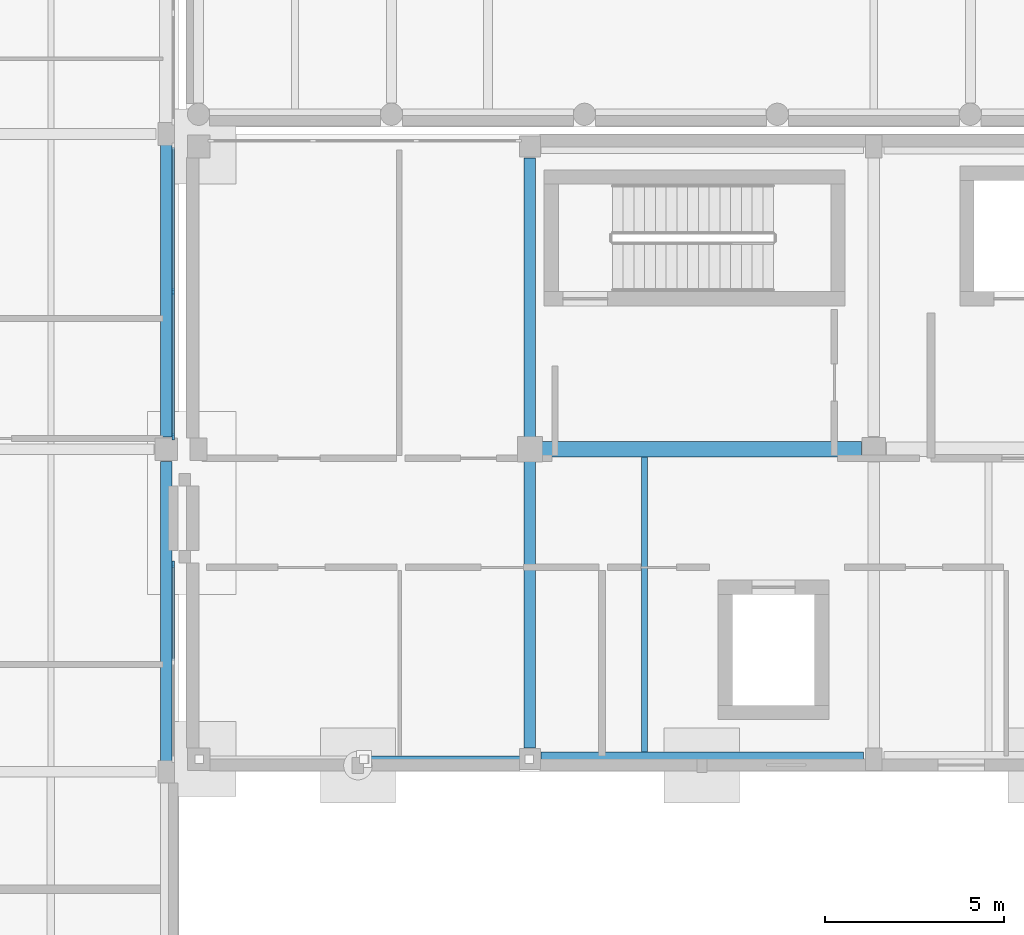
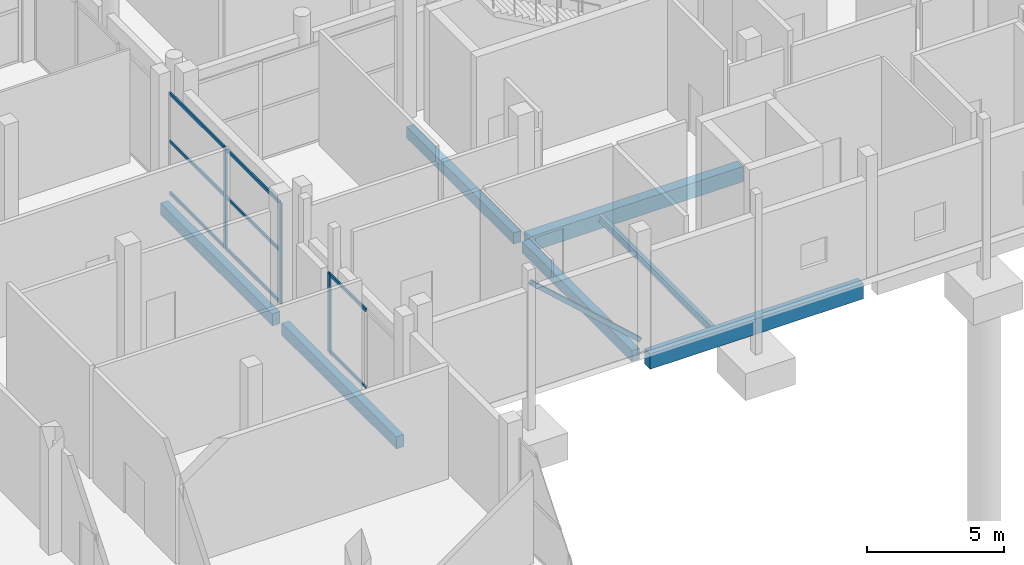
# One storey, part 20 of 88: 12 members, 7 beams, 2 elements without a shape of their own.
"""IFC4 building model written with IfcOpenShell, lengths in metres."""

from ifc_helpers import new_model, si_unit, direction, frame, origin, origin_2d, place, context, subcontext, project, spatial, rectangle, hollow_rectangle, i_section, extrude, material, layer, layer_set, material_profile, profile_set, type_object, element, aggregate, save


model = new_model("IFC4")

# Units and contexts
model_context = context("Model", 3, precision=1e-05, world=origin(), true_north=direction((0.0, 1.0)))
body_context = subcontext(model_context, "Body", "Model", "MODEL_VIEW")
ifc_project = project(units=[si_unit("LENGTHUNIT", "METRE"), si_unit("AREAUNIT", "SQUARE_METRE"), si_unit("VOLUMEUNIT", "CUBIC_METRE"), si_unit("PLANEANGLEUNIT", "RADIAN"), si_unit("MASSUNIT", "GRAM", prefix="KILO")], contexts=[model_context])

# Site, building, storey
site_placement = place(None, origin())
site = spatial("IfcSite", under=ifc_project, at=site_placement, CompositionType="ELEMENT")
building_placement = place(site_placement, origin())
building = spatial("IfcBuilding", under=site, at=building_placement, Name="Birchvale Park Specialist Clinic", CompositionType="ELEMENT")
storey_placement = place(building_placement, origin())
storey = spatial("IfcBuildingStorey", under=building, at=storey_placement, Name="L00", CompositionType="ELEMENT", Elevation=0.0)

# Beams
ifc_material_1 = material(Name="Concrete C40/50", Category="concrete")
ifc_material_profile_1 = material_profile(ifc_material_1, rectangle(XDim=0.39990234375, YDim=0.68994140625, at=origin_2d()), Name="RCB-400x690")
ifc_profile_set_1 = profile_set([ifc_material_profile_1], Name="Concrete C40/50")
beam_type_1 = type_object("IfcBeamType", Name="BM-EXT-BG4", PredefinedType="BEAM", material=ifc_profile_set_1)
beam_1_placement = place(storey_placement, frame((61.715087890625, 17.14990234375, -0.625), z_axis=(1.0, 0.0, 0.0), x_axis=(0.0, 1.0, 0.0)))
element("IfcBeam", 1, at=beam_1_placement, inside=storey, type_object=beam_type_1, Name="V4 L00 X girder 1", PredefinedType="BEAM", context=body_context, shape_type="SweptSolid", body=[
    extrude(rectangle(XDim=0.39990234375, YDim=0.68994140625, at=origin_2d()), origin(), (0.0, 0.0, 1.0), 8.994873046875),
])
ifc_material_profile_2 = material_profile(ifc_material_1, rectangle(XDim=0.320068359375, YDim=0.5400390625, at=origin_2d()), Name="RCB-320x540")
ifc_profile_set_2 = profile_set([ifc_material_profile_2], Name="Concrete C40/50")
beam_type_2 = type_object("IfcBeamType", Name="BM-EXT-BG7", PredefinedType="BEAM", material=ifc_profile_set_2)
beam_2_placement = place(storey_placement, frame((51.25, 17.090087890625, -0.6201171875), z_axis=(0.0, 1.0, 0.0), x_axis=(-1.0, 0.0, 0.0)))
element("IfcBeam", 2, at=beam_2_placement, inside=storey, type_object=beam_type_2, Name="V2 L00 Y girder 46", PredefinedType="BEAM", context=body_context, shape_type="SweptSolid", body=[
    extrude(rectangle(XDim=0.320068359375, YDim=0.5400390625, at=origin_2d()), origin(), (0.0, 0.0, 1.0), 8.369873046875),
])
beam_3_placement = place(storey_placement, frame((51.25, 26.139892578125, -0.6201171875), z_axis=(0.0, 1.0, 0.0), x_axis=(-1.0, 0.0, 0.0)))
element("IfcBeam", 3, at=beam_3_placement, inside=storey, type_object=beam_type_2, Name="V2 L00 Y girder 47", PredefinedType="BEAM", context=body_context, shape_type="SweptSolid", body=[
    extrude(rectangle(XDim=0.320068359375, YDim=0.5400390625, at=origin_2d()), origin(), (0.0, 0.0, 1.0), 8.170166015625),
])
ifc_material_profile_3 = material_profile(ifc_material_1, rectangle(XDim=0.419921875, YDim=0.679931640625, at=origin_2d()), Name="RCB-420x680")
ifc_profile_set_3 = profile_set([ifc_material_profile_3], Name="Concrete C40/50")
beam_type_3 = type_object("IfcBeamType", Name="BM-INT-BG3", PredefinedType="BEAM", material=ifc_profile_set_3)
beam_4_placement = place(storey_placement, frame((61.625, 25.800048828125, -0.6201171875), z_axis=(1.0, 0.0, 0.0), x_axis=(0.0, 1.0, 0.0)))
element("IfcBeam", 4, at=beam_4_placement, inside=storey, type_object=beam_type_3, Name="V4 L00 X girder 4", PredefinedType="BEAM", context=body_context, shape_type="SweptSolid", body=[
    extrude(rectangle(XDim=0.419921875, YDim=0.679931640625, at=origin_2d()), origin(), (0.0, 0.0, 1.0), 9.02490234375),
])
ifc_material_profile_4 = material_profile(ifc_material_1, rectangle(XDim=0.320068359375, YDim=0.5, at=origin_2d()), Name="RCB-320x500")
ifc_profile_set_4 = profile_set([ifc_material_profile_4], Name="Concrete C40/50")
beam_type_4 = type_object("IfcBeamType", Name="BM-INT-BG7", PredefinedType="BEAM", material=ifc_profile_set_4)
beam_5_placement = place(storey_placement, frame((61.39990234375, 17.465087890625, -0.530029296875), z_axis=(0.0, 1.0, 0.0), x_axis=(-1.0, 0.0, 0.0)))
element("IfcBeam", 5, at=beam_5_placement, inside=storey, type_object=beam_type_4, Name="V4 L00 Y girder 12", PredefinedType="BEAM", context=body_context, shape_type="SweptSolid", body=[
    extrude(rectangle(XDim=0.320068359375, YDim=0.5, at=origin_2d()), origin(), (0.0, 0.0, 1.0), 8.034912109375),
])
beam_6_placement = place(storey_placement, frame((61.39990234375, 26.10009765625, -0.530029296875), z_axis=(0.0, 1.0, 0.0), x_axis=(-1.0, 0.0, 0.0)))
element("IfcBeam", 6, at=beam_6_placement, inside=storey, type_object=beam_type_4, Name="V4 L00 Y girder 13", PredefinedType="BEAM", context=body_context, shape_type="SweptSolid", body=[
    extrude(rectangle(XDim=0.320068359375, YDim=0.5, at=origin_2d()), origin(), (0.0, 0.0, 1.0), 7.8349609375),
])

# Curtain wall, member
ifc_material_2 = material(Name="Thermally broken anodised aluminium", Category="aluminium")
ifc_layer = layer(ifc_material_2, 0.195068359375)
ifc_layer_set = layer_set([ifc_layer], Name="Thermally broken anodised aluminium")
curtain_wall_type = type_object("IfcCurtainWallType", Name="CW-U2", PredefinedType="USERDEFINED", material=ifc_layer_set)
curtain_wall_1_placement = place(storey_placement, origin())
curtain_wall_1 = element("IfcCurtainWall", 7, at=curtain_wall_1_placement, inside=storey, type_object=curtain_wall_type, Name="V2 L00 glazed curtain wall 11", ObjectType="UNITISED", PredefinedType="USERDEFINED")
ifc_material_profile_5 = material_profile(ifc_material_2, rectangle(XDim=0.06494140625, YDim=0.179931640625, at=origin_2d()), Name="CWM-65x180")
ifc_profile_set_5 = profile_set([ifc_material_profile_5], Name="Thermally broken anodised aluminium")
member_type_1 = type_object("IfcMemberType", Name="CWM2", PredefinedType="MULLION", material=ifc_profile_set_5)
member_1_placement = place(storey_placement, frame((51.445068359375, 22.592529296875, 0.0), z_axis=(0.0, 0.0, 1.0), x_axis=(-1.0, 0.0, 0.0)))
member_1 = element("IfcMember", 8, at=member_1_placement, type_object=member_type_1, Name="CW mullion 3", PredefinedType="MULLION", context=body_context, shape_type="SweptSolid", body=[
    extrude(rectangle(XDim=0.06494140625, YDim=0.179931640625, at=origin_2d()), origin(), (0.0, 0.0, 1.0), 3.508056640625),
])

# Curtain wall, members
curtain_wall_2_placement = place(storey_placement, origin())
curtain_wall_2 = element("IfcCurtainWall", 9, at=curtain_wall_2_placement, inside=storey, type_object=curtain_wall_type, Name="V2 L00 glazed curtain wall 12", ObjectType="UNITISED", PredefinedType="USERDEFINED")
member_2_placement = place(storey_placement, frame((51.445068359375, 26.1474609375, 0.0), z_axis=(0.0, 0.0, 1.0), x_axis=(-1.0, 0.0, 0.0)))
member_2 = element("IfcMember", 10, at=member_2_placement, type_object=member_type_1, Name="CW mullion 1", PredefinedType="MULLION", context=body_context, shape_type="SweptSolid", body=[
    extrude(rectangle(XDim=0.06494140625, YDim=0.179931640625, at=origin_2d()), origin(), (0.0, 0.0, 1.0), 4.4951171875),
])
member_3_placement = place(storey_placement, frame((51.445068359375, 30.199951171875, 0.0), z_axis=(0.0, 0.0, 1.0), x_axis=(-1.0, 0.0, 0.0)))
member_3 = element("IfcMember", 11, at=member_3_placement, type_object=member_type_1, Name="CW mullion 2", PredefinedType="MULLION", context=body_context, shape_type="SweptSolid", body=[
    extrude(rectangle(XDim=0.06494140625, YDim=0.179931640625, at=origin_2d()), origin(), (0.0, 0.0, 1.0), 4.4951171875),
])

# Member
ifc_material_profile_6 = material_profile(ifc_material_2, rectangle(XDim=0.06494140625, YDim=0.139892578125, at=origin_2d()), Name="CWT-65x140")
ifc_profile_set_6 = profile_set([ifc_material_profile_6], Name="Thermally broken anodised aluminium")
member_type_2 = type_object("IfcMemberType", Name="CWT2", PredefinedType="USERDEFINED", material=ifc_profile_set_6)
member_4_placement = place(storey_placement, frame((51.445068359375, 19.902587890625, 0.032470703125), z_axis=(0.0, 1.0, 0.0), x_axis=(-1.0, 0.0, 0.0)))
member_4 = element("IfcMember", 12, at=member_4_placement, type_object=member_type_2, Name="CW transom 2.1", ObjectType="TRANSOM", PredefinedType="USERDEFINED", context=body_context, shape_type="SweptSolid", body=[
    extrude(rectangle(XDim=0.06494140625, YDim=0.139892578125, at=origin_2d()), origin(), (0.0, 0.0, 1.0), 2.657470703125),
])

member_5_placement = place(storey_placement, frame((51.445068359375, 19.902587890625, 3.4755859375), z_axis=(0.0, 1.0, 0.0), x_axis=(-1.0, 0.0, 0.0)))
member_5 = element("IfcMember", 13, at=member_5_placement, type_object=member_type_2, Name="CW transom 2.2", ObjectType="TRANSOM", PredefinedType="USERDEFINED", context=body_context, shape_type="SweptSolid", body=[
    extrude(rectangle(XDim=0.06494140625, YDim=0.139892578125, at=origin_2d()), origin(), (0.0, 0.0, 1.0), 2.657470703125),
])

aggregate(curtain_wall_1, [member_1, member_4, member_5])

member_6_placement = place(storey_placement, frame((51.445068359375, 26.179931640625, 0.032470703125), z_axis=(0.0, 1.0, 0.0), x_axis=(-1.0, 0.0, 0.0)))
member_6 = element("IfcMember", 14, at=member_6_placement, type_object=member_type_2, Name="CW transom 1.1", ObjectType="TRANSOM", PredefinedType="USERDEFINED", context=body_context, shape_type="SweptSolid", body=[
    extrude(rectangle(XDim=0.06494140625, YDim=0.139892578125, at=origin_2d()), origin(), (0.0, 0.0, 1.0), 3.987548828125),
])

member_7_placement = place(storey_placement, frame((51.445068359375, 26.179931640625, 2.33740234375), z_axis=(0.0, 1.0, 0.0), x_axis=(-1.0, 0.0, 0.0)))
member_7 = element("IfcMember", 15, at=member_7_placement, type_object=member_type_2, Name="CW transom 1.2", ObjectType="TRANSOM", PredefinedType="USERDEFINED", context=body_context, shape_type="SweptSolid", body=[
    extrude(rectangle(XDim=0.06494140625, YDim=0.139892578125, at=origin_2d()), origin(), (0.0, 0.0, 1.0), 3.987548828125),
])

member_8_placement = place(storey_placement, frame((51.445068359375, 26.179931640625, 4.46240234375), z_axis=(0.0, 1.0, 0.0), x_axis=(-1.0, 0.0, 0.0)))
member_8 = element("IfcMember", 16, at=member_8_placement, type_object=member_type_2, Name="CW transom 1.3", ObjectType="TRANSOM", PredefinedType="USERDEFINED", context=body_context, shape_type="SweptSolid", body=[
    extrude(rectangle(XDim=0.06494140625, YDim=0.139892578125, at=origin_2d()), origin(), (0.0, 0.0, 1.0), 3.987548828125),
])

member_9_placement = place(storey_placement, frame((51.445068359375, 30.232421875, 0.032470703125), z_axis=(0.0, 1.0, 0.0), x_axis=(-1.0, 0.0, 0.0)))
member_9 = element("IfcMember", 17, at=member_9_placement, type_object=member_type_2, Name="CW transom 2.1", ObjectType="TRANSOM", PredefinedType="USERDEFINED", context=body_context, shape_type="SweptSolid", body=[
    extrude(rectangle(XDim=0.06494140625, YDim=0.139892578125, at=origin_2d()), origin(), (0.0, 0.0, 1.0), 3.987548828125),
])

member_10_placement = place(storey_placement, frame((51.445068359375, 30.232421875, 2.33740234375), z_axis=(0.0, 1.0, 0.0), x_axis=(-1.0, 0.0, 0.0)))
member_10 = element("IfcMember", 18, at=member_10_placement, type_object=member_type_2, Name="CW transom 2.2", ObjectType="TRANSOM", PredefinedType="USERDEFINED", context=body_context, shape_type="SweptSolid", body=[
    extrude(rectangle(XDim=0.06494140625, YDim=0.139892578125, at=origin_2d()), origin(), (0.0, 0.0, 1.0), 3.987548828125),
])

member_11_placement = place(storey_placement, frame((51.445068359375, 30.232421875, 4.46240234375), z_axis=(0.0, 1.0, 0.0), x_axis=(-1.0, 0.0, 0.0)))
member_11 = element("IfcMember", 19, at=member_11_placement, type_object=member_type_2, Name="CW transom 2.3", ObjectType="TRANSOM", PredefinedType="USERDEFINED", context=body_context, shape_type="SweptSolid", body=[
    extrude(rectangle(XDim=0.06494140625, YDim=0.139892578125, at=origin_2d()), origin(), (0.0, 0.0, 1.0), 3.987548828125),
])

aggregate(curtain_wall_2, [member_2, member_3, member_6, member_7, member_8, member_9, member_10, member_11])

ifc_material_3 = material(Name="Steel ASTM A500 Grade C", Category="steel")
ifc_material_profile_7 = material_profile(ifc_material_3, hollow_rectangle(XDim=0.179931640625, YDim=0.179931640625, WallThickness=0.010009765625, at=origin_2d()), Name="HSS180X180X10")
ifc_profile_set_7 = profile_set([ifc_material_profile_7], Name="Steel ASTM A500 Grade C")
member_type_3 = type_object("IfcMemberType", Name="MEM-BR6", PredefinedType="BRACE", material=ifc_profile_set_7)
member_12_placement = place(storey_placement, frame((61.377685546875, 17.14990234375, 0.3701171875), z_axis=(-0.741086443493, 0.0, 0.671409624053), x_axis=(0.0, -1.0, 0.0)))
element("IfcMember", 20, at=member_12_placement, inside=storey, type_object=member_type_3, Name="V4 L00 chevron steel brace 1.2", PredefinedType="BRACE", context=body_context, shape_type="SweptSolid", body=[
    extrude(hollow_rectangle(XDim=0.179931640625, YDim=0.179931640625, WallThickness=0.010009765625, at=origin_2d()), origin(), (0.0, 0.0, 1.0), 6.180908203125),
])

# Beam
ifc_material_4 = material(Name="Steel ASTM A992 Grade 50", Category="steel")
ifc_material_profile_8 = material_profile(ifc_material_4, i_section(OverallWidth=0.1669921875, OverallDepth=0.31689453125, WebThickness=0.007568359375, FlangeThickness=0.01318359375, at=origin_2d()), Name="W12X35")
ifc_profile_set_8 = profile_set([ifc_material_profile_8], Name="Steel ASTM A992 Grade 50")
beam_type_5 = type_object("IfcBeamType", Name="STL-INT-SJ3", PredefinedType="JOIST", material=ifc_profile_set_8)
beam_7_placement = place(storey_placement, frame((64.60009765625, 17.35009765625, -0.4384765625), z_axis=(0.0, 1.0, 0.0), x_axis=(-1.0, 0.0, 0.0)))
element("IfcBeam", 21, at=beam_7_placement, inside=storey, type_object=beam_type_5, Name="V4 L00 secondary floor joist 1", PredefinedType="JOIST", context=body_context, shape_type="SweptSolid", body=[
    extrude(i_section(OverallWidth=0.1669921875, OverallDepth=0.31689453125, WebThickness=0.007568359375, FlangeThickness=0.01318359375, at=origin_2d()), origin(), (0.0, 0.0, 1.0), 8.239990234375),
])

save(model, "model.ifc")
